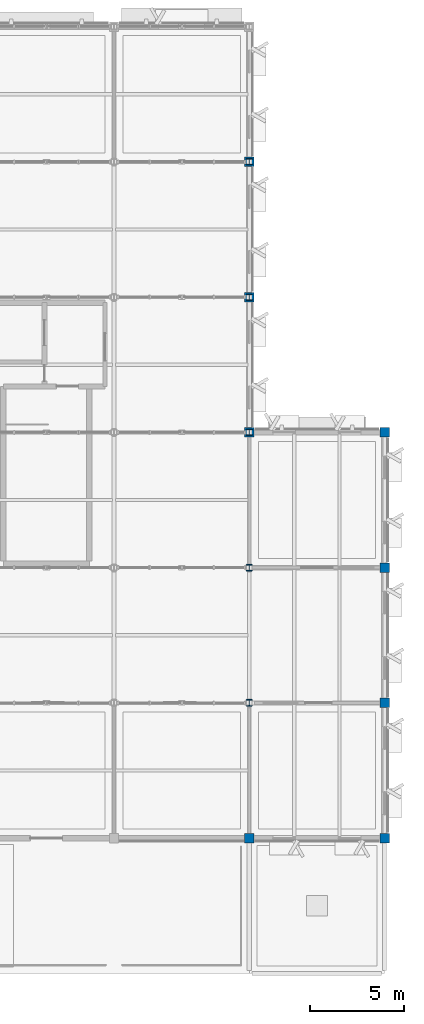
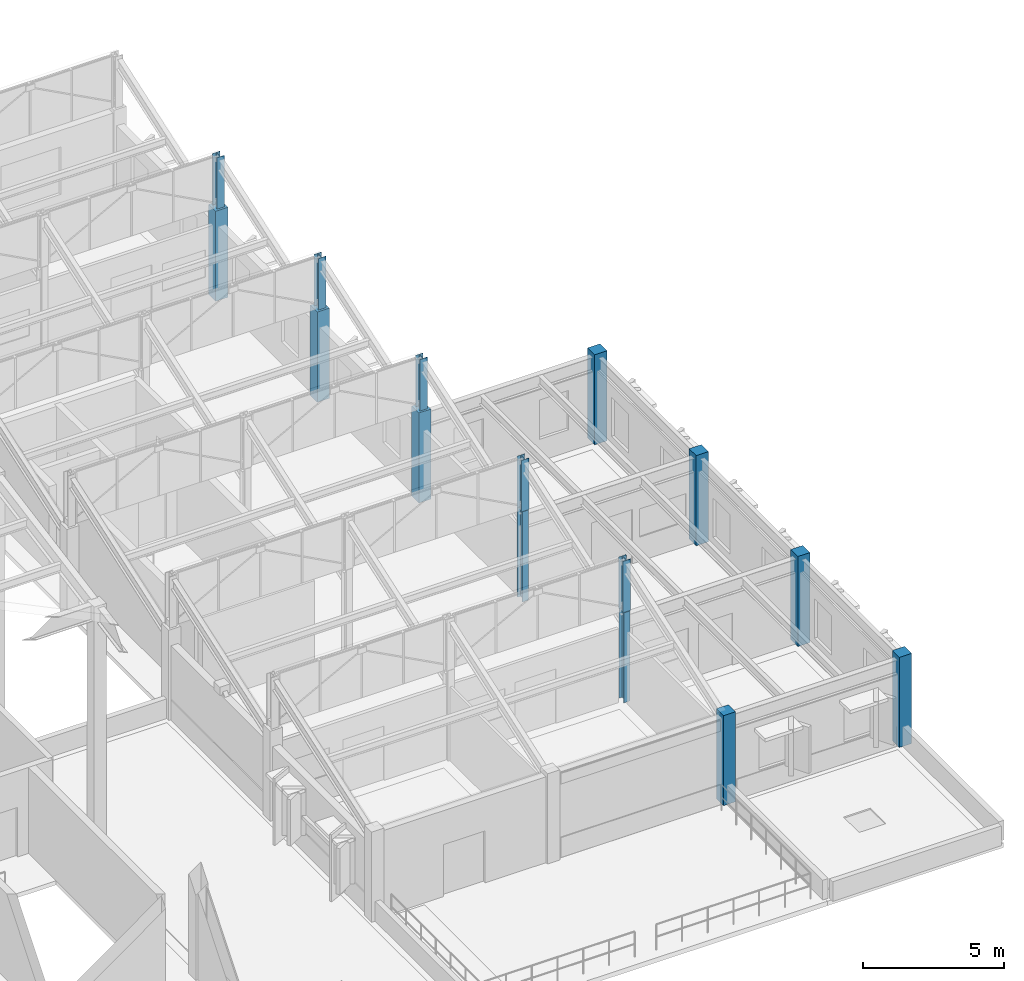
# One storey, part 13 of 82: 15 columns.
"""IFC4 building model written with IfcOpenShell, lengths in metres."""

import ifcopenshell
import ifcopenshell.guid

model = None  # the IFC model being written
_history = None  # IfcOwnerHistory: only IFC2X3 demands one
_inside = {}  # id of a spatial element -> (the spatial element, [elements in it])
_under = {}  # id of a project, library or spatial element -> (it, [spatial elements below it])
_declared = {}  # id of a project -> (the project, [libraries it declares])
_typed = {}  # id of a type object -> (the type object, [elements of that type])
_made_of = {}  # id of a material, layer set ... -> (it, [elements and type objects made of it])


def new_model(schema):
    """Start an empty IFC model of exactly this schema.

    Asked for "IFC4X3", IfcOpenShell would pick the latest addendum, in which some entities
    have other attributes; the version numbers below select the first issue.
    IFC2X3 requires an IfcOwnerHistory on every rooted entity: one is made here for all.
    """
    global model, _history
    if schema == "IFC4X3":
        model = ifcopenshell.file(schema_version=(4, 3, 0, 0))
    else:
        model = ifcopenshell.file(schema=schema)
    _inside.clear()
    _under.clear()
    _declared.clear()
    _typed.clear()
    _made_of.clear()
    _history = None
    if model.schema == "IFC2X3":
        org = make("IfcOrganization", Name="unknown")
        user = make(
            "IfcPersonAndOrganization",
            ThePerson=make("IfcPerson", FamilyName="unknown"),
            TheOrganization=org,
        )
        app = make(
            "IfcApplication",
            ApplicationDeveloper=org,
            Version="unknown",
            ApplicationFullName="unknown",
            ApplicationIdentifier="unknown",
        )
        _history = make(
            "IfcOwnerHistory",
            OwningUser=user,
            OwningApplication=app,
            ChangeAction="ADDED",
            CreationDate=0,
        )
    return model


def make(cls, **values):
    """One entity of the class cls with the attributes given. An attribute that is None is left unset."""
    return model.create_entity(
        cls, **{name: value for name, value in values.items() if value is not None}
    )


def rooted(cls, **values):
    """An entity with a GlobalId (a new one), such as an element, a storey or a relation."""
    return make(cls, GlobalId=ifcopenshell.guid.new(), OwnerHistory=_history, **values)


def si_unit(unit_type, name, prefix=None):
    """IfcSIUnit, for example si_unit("LENGTHUNIT", "METRE", prefix="MILLI")."""
    return make("IfcSIUnit", UnitType=unit_type, Prefix=prefix, Name=name)


def assignment(units):
    """IfcUnitAssignment: the units of a project."""
    return None if units is None else make("IfcUnitAssignment", Units=units)


def point(xyz):
    """IfcCartesianPoint."""
    return None if xyz is None else make("IfcCartesianPoint", Coordinates=xyz)


def direction(xyz):
    """IfcDirection."""
    return None if xyz is None else make("IfcDirection", DirectionRatios=xyz)


def frame(location, z_axis=None, x_axis=None):
    """IfcAxis2Placement3D, a coordinate frame: its origin and axes. An axis left out is left unset."""
    return make(
        "IfcAxis2Placement3D",
        Location=point(location),
        Axis=direction(z_axis),
        RefDirection=direction(x_axis),
    )


def frame_2d(location, x_axis=None):
    """IfcAxis2Placement2D, a coordinate frame in the plane: its origin and x axis."""
    return make(
        "IfcAxis2Placement2D", Location=point(location), RefDirection=direction(x_axis)
    )


def origin():
    """The frame at (0, 0, 0) with its axes left unset."""
    return frame((0.0, 0.0, 0.0))


def origin_2d():
    """The frame at (0, 0) in the plane with its x axis left unset."""
    return frame_2d((0.0, 0.0))


def place(relative_to, where):
    """IfcLocalPlacement: puts the frame where relative to a parent placement (None: the world)."""
    return make(
        "IfcLocalPlacement", PlacementRelTo=relative_to, RelativePlacement=where
    )


def context(
    kind, dimensions, precision=None, world=None, true_north=None, identifier=None
):
    """IfcGeometricRepresentationContext, for example the 3D "Model" context."""
    return make(
        "IfcGeometricRepresentationContext",
        ContextIdentifier=identifier,
        ContextType=kind,
        CoordinateSpaceDimension=dimensions,
        Precision=precision,
        WorldCoordinateSystem=world,
        TrueNorth=true_north,
    )


def subcontext(parent, identifier, kind, view, scale=None):
    """IfcGeometricRepresentationSubContext, for example "Body" below "Model"."""
    return make(
        "IfcGeometricRepresentationSubContext",
        ContextIdentifier=identifier,
        ContextType=kind,
        ParentContext=parent,
        TargetScale=scale,
        TargetView=view,
    )


def project(units=None, contexts=None):
    """IfcProject with its units and contexts."""
    return rooted(
        "IfcProject",
        Name="project",
        RepresentationContexts=contexts,
        UnitsInContext=assignment(units),
    )


def spatial(cls, under=None, at=None, **own):
    """A site, building, storey or space (cls), placed at a placement, below another one or the project."""
    s = rooted(cls, ObjectPlacement=at, **own)
    if under is not None:
        _under.setdefault(under.id(), (under, []))[1].append(s)
    return s


def profile(cls, at=None, kind="AREA", **sizes):
    """A parametric profile (cls). Its sizes go by their IFC names, for example OverallWidth=200.0."""
    return make(cls, ProfileType=kind, Position=at, **sizes)


def rectangle(**sizes):
    """IfcRectangleProfileDef."""
    return profile("IfcRectangleProfileDef", **sizes)


def i_section(**sizes):
    """IfcIShapeProfileDef."""
    return profile("IfcIShapeProfileDef", **sizes)


def extrude(swept, where, along, depth):
    """IfcExtrudedAreaSolid: the profile swept, set in the frame where, extruded along a direction by depth."""
    return make(
        "IfcExtrudedAreaSolid",
        SweptArea=swept,
        Position=where,
        ExtrudedDirection=direction(along),
        Depth=depth,
    )


def shape(context_of_items, identifier, shape_type, items):
    """IfcShapeRepresentation: the items that make up one representation, for example the "Body"."""
    return make(
        "IfcShapeRepresentation",
        ContextOfItems=context_of_items,
        RepresentationIdentifier=identifier,
        RepresentationType=shape_type,
        Items=items,
    )


def material(Name=None, Category=None):
    """IfcMaterial."""
    return make("IfcMaterial", Name=Name, Category=Category)


def material_profile(
    of_material, cross_section, Name=None, Category=None, Priority=None
):
    """IfcMaterialProfile: a cross section and its material."""
    return make(
        "IfcMaterialProfile",
        Name=Name,
        Material=of_material,
        Profile=cross_section,
        Priority=Priority,
        Category=Category,
    )


def profile_set(profiles, Name=None, composite=None):
    """IfcMaterialProfileSet."""
    return make(
        "IfcMaterialProfileSet",
        Name=Name,
        MaterialProfiles=profiles,
        CompositeProfile=composite,
    )


def made_of(thing, what):
    """Note that an element or type object is made of a material, layer set ...; save() writes the relation."""
    if what is not None:
        _made_of.setdefault(what.id(), (what, []))[1].append(thing)
    return thing


def type_object(cls, material=None, **own):
    """A type object (cls), such as IfcWallType, which elements share."""
    return made_of(rooted(cls, **own), material)


def element(
    cls,
    number,
    at=None,
    inside=None,
    cuts=None,
    type_object=None,
    material=None,
    context=None,
    identifier="Body",
    shape_type=None,
    held_by="IfcProductDefinitionShape",
    body=None,
    shapes=None,
    **own,
):
    """One element of the class cls, such as IfcWall. Its Tag is "e" and its number.

    at: its placement. inside: the storey or other place that contains it. cuts: it is an
    opening in that element (IfcRelVoidsElement). A single representation is given by context,
    identifier, shape_type and body (its items); several are given by shapes. held_by: the class
    of the entity that holds the representations. save() writes the other relations.
    """
    e = rooted(cls, Tag="e%d" % number, ObjectPlacement=at, **own)
    if body is not None:
        shapes = [shape(context, identifier, shape_type, body)]
    if shapes is not None:
        e.Representation = make(held_by, Representations=shapes)
    if inside is not None:
        _inside.setdefault(inside.id(), (inside, []))[1].append(e)
    if cuts is not None:
        rooted(
            "IfcRelVoidsElement", RelatingBuildingElement=cuts, RelatedOpeningElement=e
        )
    if type_object is not None:
        _typed.setdefault(type_object.id(), (type_object, []))[1].append(e)
    return made_of(e, material)


def aggregate(whole, parts):
    """IfcRelAggregates: a whole, such as a stair, and the parts it consists of."""
    return rooted("IfcRelAggregates", RelatingObject=whole, RelatedObjects=parts)


def save(model, path):
    """Write the relations noted so far, then the file.

    IfcRelAggregates (storeys below a building ...), IfcRelContainedInSpatialStructure (elements
    in a storey), IfcRelDefinesByType, IfcRelAssociatesMaterial and IfcRelDeclares: one each for
    every whole, place, type object, material and project.
    """
    for whole, parts in _under.values():
        aggregate(whole, parts)
    for where, things in _inside.values():
        rooted(
            "IfcRelContainedInSpatialStructure",
            RelatedElements=things,
            RelatingStructure=where,
        )
    for kind, things in _typed.values():
        rooted("IfcRelDefinesByType", RelatedObjects=things, RelatingType=kind)
    for what, things in _made_of.values():
        rooted("IfcRelAssociatesMaterial", RelatedObjects=things, RelatingMaterial=what)
    for by, libraries in _declared.values():
        rooted("IfcRelDeclares", RelatingContext=by, RelatedDefinitions=libraries)
    model.write(path)


model = new_model("IFC4")

# Units and contexts
model_context = context("Model", 3, precision=1e-05, world=origin(), true_north=direction((0.0, 1.0)))
body_context = subcontext(model_context, "Body", "Model", "MODEL_VIEW")
ifc_project = project(units=[si_unit("LENGTHUNIT", "METRE"), si_unit("AREAUNIT", "SQUARE_METRE"), si_unit("VOLUMEUNIT", "CUBIC_METRE"), si_unit("PLANEANGLEUNIT", "RADIAN"), si_unit("MASSUNIT", "GRAM", prefix="KILO")], contexts=[model_context])

# Site, building, storey
site_placement = place(None, origin())
site = spatial("IfcSite", under=ifc_project, at=site_placement, CompositionType="ELEMENT")
building_placement = place(site_placement, origin())
building = spatial("IfcBuilding", under=site, at=building_placement, Name="Sillqori Civic Hall", CompositionType="ELEMENT")
storey_placement = place(building_placement, frame((0.0, 0.0, 14.10009765625)))
storey = spatial("IfcBuildingStorey", under=building, at=storey_placement, Name="L04", CompositionType="ELEMENT", Elevation=14.10009765625)

# Columns
ifc_material_1 = material(Name="Concrete C35/45 (H35)", Category="concrete")
ifc_material_profile_1 = material_profile(ifc_material_1, rectangle(XDim=0.5, YDim=0.5, at=origin_2d()), Name="RC 500x500")
ifc_profile_set_1 = profile_set([ifc_material_profile_1], Name="Concrete C35/45 (H35)")
column_type_1 = type_object("IfcColumnType", Name="COL-RC500", PredefinedType="COLUMN", material=ifc_profile_set_1)
for number, where, z_axis, x_axis, name in (
    (1, (136.800048828125, 36.0, 0.0), (0.0, 0.0, 1.0), (1.0, 0.0, 0.0), "L04 column 19-5"),
    (2, (136.800048828125, 57.60009765625, 0.0), (0.0, 0.0, 1.0), (1.0, 0.0, 0.0), "L04 column 19-8"),
    (3, (136.800048828125, 64.800048828125, 0.0), (0.0, 0.0, 1.0), (1.0, 0.0, 0.0), "L04 column 19-9"),
    (4, (136.800048828125, 72.0, 0.0), (0.0, 0.0, 1.0), (1.0, 0.0, 0.0), "L04 column 19-10"),
    (5, (144.0, 36.0, 0.0), (0.0, 0.0, 1.0), (1.0, 0.0, 0.0), "L04 column 20-5"),
    (6, (144.0, 43.199951171875, 0.0), (0.0, 0.0, 1.0), (1.0, 0.0, 0.0), "L04 column 20-6"),
    (7, (144.0, 50.39990234375, 0.0), (0.0, 0.0, 1.0), (1.0, 0.0, 0.0), "L04 column 20-7"),
    (8, (144.0, 57.60009765625, 0.0), (0.0, 0.0, 1.0), (1.0, 0.0, 0.0), "L04 column 20-8"),
):
    element("IfcColumn", number, at=place(storey_placement, frame(where, z_axis=z_axis, x_axis=x_axis)), inside=storey, type_object=column_type_1, Name=name, PredefinedType="COLUMN", context=body_context, shape_type="SweptSolid", body=[
        extrude(rectangle(XDim=0.5, YDim=0.5, at=origin_2d()), origin(), (0.0, 0.0, 1.0), 3.89990234375),
    ])
ifc_material_2 = material(Name="Steel ASTM A992", Category="steel")
ifc_material_profile_2 = material_profile(ifc_material_2, i_section(OverallWidth=0.30908203125, OverallDepth=0.322998046875, WebThickness=0.013916015625, FlangeThickness=0.02294921875, FilletRadius=0.014892578125, at=origin_2d()), Name="W12X96")
ifc_profile_set_2 = profile_set([ifc_material_profile_2], Name="Steel ASTM A992")
column_type_2 = type_object("IfcColumnType", Name="COL-W12X96", PredefinedType="COLUMN", material=ifc_profile_set_2)
for number, where, z_axis, x_axis, name in (
    (9, (136.800048828125, 43.199951171875, 3.89990234375), (0.0, 0.0, 1.0), (1.0, 0.0, 0.0), "Clerestory ridge post 19-5"),
    (10, (136.800048828125, 50.39990234375, 3.89990234375), (0.0, 0.0, 1.0), (1.0, 0.0, 0.0), "Clerestory ridge post 19-6"),
    (11, (136.800048828125, 57.60009765625, 3.89990234375), (0.0, 0.0, 1.0), (1.0, 0.0, 0.0), "Clerestory ridge post 19-7"),
    (12, (136.800048828125, 64.800048828125, 3.89990234375), (0.0, 0.0, 1.0), (1.0, 0.0, 0.0), "Clerestory ridge post 19-8"),
    (13, (136.800048828125, 72.0, 3.89990234375), (0.0, 0.0, 1.0), (1.0, 0.0, 0.0), "Clerestory ridge post 19-9"),
):
    element("IfcColumn", number, at=place(storey_placement, frame(where, z_axis=z_axis, x_axis=x_axis)), inside=storey, type_object=column_type_2, Name=name, PredefinedType="COLUMN", context=body_context, shape_type="SweptSolid", body=[
        extrude(i_section(OverallWidth=0.30908203125, OverallDepth=0.322998046875, WebThickness=0.013916015625, FlangeThickness=0.02294921875, FilletRadius=0.014892578125, at=origin_2d()), origin(), (0.0, 0.0, 1.0), 2.219970703125),
    ])
ifc_material_profile_3 = material_profile(ifc_material_2, i_section(OverallWidth=0.257080078125, OverallDepth=0.363037109375, WebThickness=0.012939453125, FlangeThickness=0.021728515625, FilletRadius=0.014892578125, at=origin_2d()), Name="W14X82")
ifc_profile_set_3 = profile_set([ifc_material_profile_3], Name="Steel ASTM A992")
column_type_3 = type_object("IfcColumnType", Name="COL-W14X82", PredefinedType="COLUMN", material=ifc_profile_set_3)
for number, where, z_axis, x_axis, name in (
    (14, (136.800048828125, 43.199951171875, 0.0), (0.0, 0.0, 1.0), (1.0, 0.0, 0.0), "L04 column 19-6"),
    (15, (136.800048828125, 50.39990234375, 0.0), (0.0, 0.0, 1.0), (1.0, 0.0, 0.0), "L04 column 19-7"),
):
    element("IfcColumn", number, at=place(storey_placement, frame(where, z_axis=z_axis, x_axis=x_axis)), inside=storey, type_object=column_type_3, Name=name, PredefinedType="COLUMN", context=body_context, shape_type="SweptSolid", body=[
        extrude(i_section(OverallWidth=0.257080078125, OverallDepth=0.363037109375, WebThickness=0.012939453125, FlangeThickness=0.021728515625, FilletRadius=0.014892578125, at=origin_2d()), origin(), (0.0, 0.0, 1.0), 3.89990234375),
    ])

save(model, "model.ifc")
